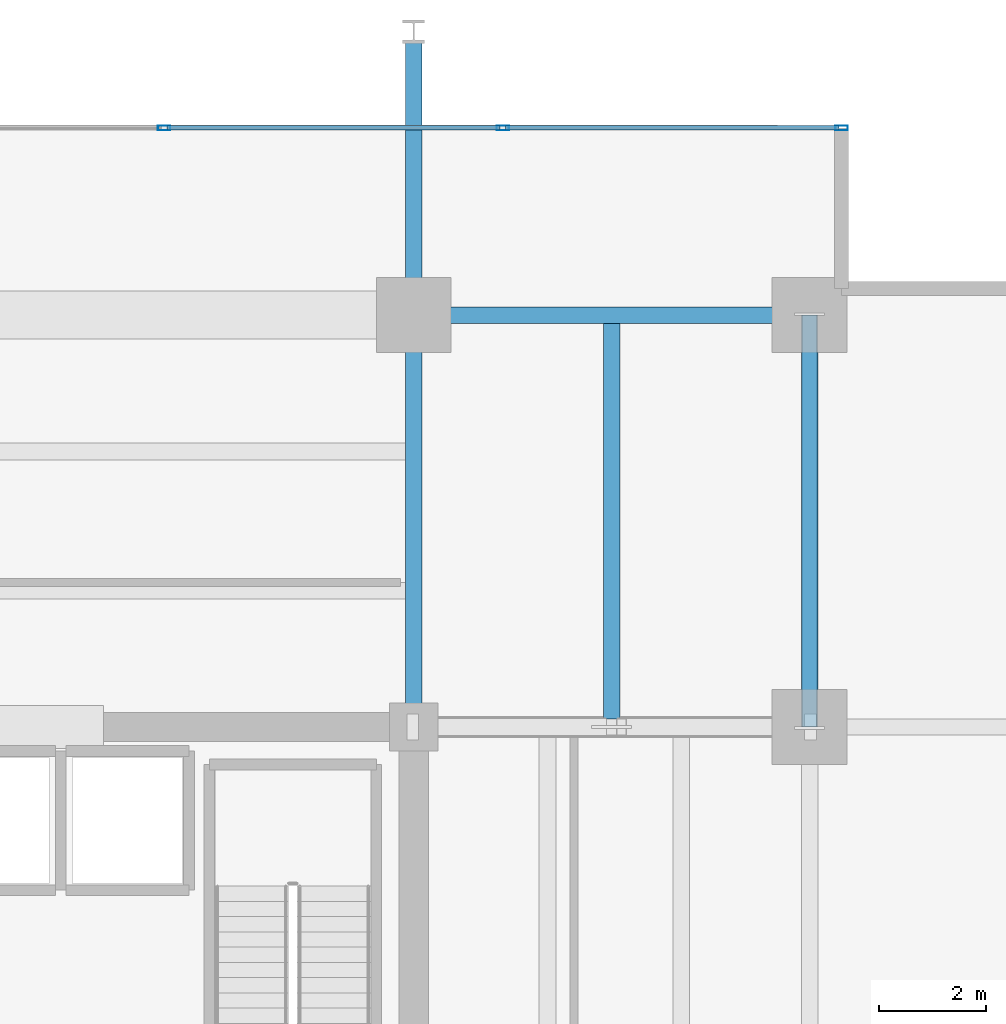
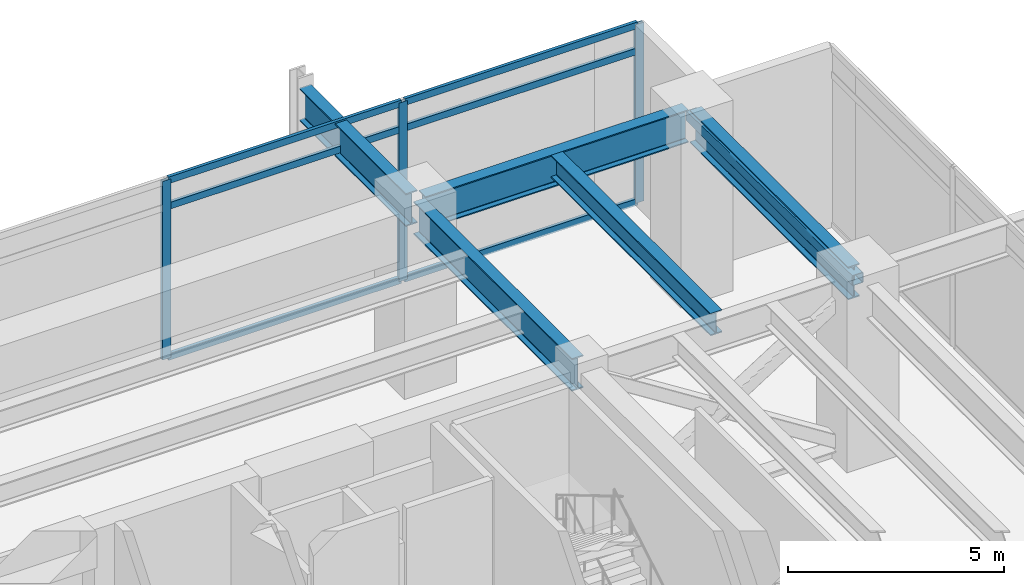
# One storey, part 15 of 21: 10 members, 5 beams, 1 element without a shape of its own.
"""IFC4 building model written with IfcOpenShell, lengths in metres."""

from ifc_helpers import new_model, si_unit, direction, frame, origin, origin_2d, place, context, subcontext, project, spatial, hollow_rectangle, i_section, extrude, material, material_profile, profile_set, type_object, element, aggregate, save


model = new_model("IFC4")

# Units and contexts
model_context = context("Model", 3, precision=1e-05, world=origin(), true_north=direction((0.0, 1.0)))
body_context = subcontext(model_context, "Body", "Model", "MODEL_VIEW")
ifc_project = project(units=[si_unit("LENGTHUNIT", "METRE"), si_unit("AREAUNIT", "SQUARE_METRE"), si_unit("VOLUMEUNIT", "CUBIC_METRE"), si_unit("PLANEANGLEUNIT", "RADIAN"), si_unit("MASSUNIT", "GRAM", prefix="KILO")], contexts=[model_context])

# Site, building, storey
site_placement = place(None, origin())
site = spatial("IfcSite", under=ifc_project, at=site_placement, CompositionType="ELEMENT")
building_placement = place(site_placement, origin())
building = spatial("IfcBuilding", under=site, at=building_placement, Name="Kovane Verandah Tower", CompositionType="ELEMENT")
storey_placement = place(building_placement, frame((0.0, 0.0, 189.39990234375)))
storey = spatial("IfcBuildingStorey", under=building, at=storey_placement, Name="L44", CompositionType="ELEMENT", Elevation=189.39990234375)

# Beams
ifc_material_1 = material(Name="Steel S460", Category="steel")
ifc_material_profile_1 = material_profile(ifc_material_1, i_section(OverallWidth=0.311279296875, OverallDepth=0.6357421875, WebThickness=0.018310546875, FlangeThickness=0.031494140625, FilletRadius=0.0166015625, at=origin_2d()), Name="UB610x305x238")
ifc_profile_set_1 = profile_set([ifc_material_profile_1], Name="Steel S460")
beam_type_1 = type_object("IfcBeamType", Name="BM-UB610x238", PredefinedType="BEAM", material=ifc_profile_set_1)
beam_1_placement = place(storey_placement, frame((54.699951171875, 36.65185546875, 4.7822265625), z_axis=(0.0, 1.0, 0.0), x_axis=(-1.0, 0.0, 0.0)))
element("IfcBeam", 1, at=beam_1_placement, inside=storey, type_object=beam_type_1, Name="L44 Secondary Composite Joist J-NE1", PredefinedType="BEAM", context=body_context, shape_type="SweptSolid", body=[
    extrude(i_section(OverallWidth=0.311279296875, OverallDepth=0.6357421875, WebThickness=0.018310546875, FlangeThickness=0.031494140625, FilletRadius=0.0166015625, at=origin_2d()), origin(), (0.0, 0.0, 1.0), 7.396240234375),
])
ifc_material_profile_2 = material_profile(ifc_material_1, i_section(OverallWidth=0.3076171875, OverallDepth=0.926513671875, WebThickness=0.01953125, FlangeThickness=0.031982421875, FilletRadius=0.01904296875, at=origin_2d()), Name="UB914x305x289")
ifc_profile_set_2 = profile_set([ifc_material_profile_2], Name="Steel S460")
beam_type_2 = type_object("IfcBeamType", Name="BM-UB914x289", PredefinedType="BEAM", material=ifc_profile_set_2)
beam_2_placement = place(storey_placement, frame((51.179931640625, 44.199951171875, 4.63671875), z_axis=(1.0, 0.0, 0.0), x_axis=(0.0, 1.0, 0.0)))
element("IfcBeam", 2, at=beam_2_placement, inside=storey, type_object=beam_type_2, Name="L44 Primary Tower Girder G-RN3", PredefinedType="BEAM", context=body_context, shape_type="SweptSolid", body=[
    extrude(i_section(OverallWidth=0.3076171875, OverallDepth=0.926513671875, WebThickness=0.01953125, FlangeThickness=0.031982421875, FilletRadius=0.01904296875, at=origin_2d()), origin(), (0.0, 0.0, 1.0), 7.0400390625),
])
for number, where, z_axis, x_axis, name in (
    (3, (58.39990234375, 36.679931640625, 4.63671875), (0.0, 1.0, 0.0), (-1.0, 0.0, 0.0), "L44 Primary Tower Girder G-RE3"),
    (4, (51.0, 36.679931640625, 4.63671875), (0.0, 1.0, 0.0), (-1.0, 0.0, 0.0), "L44 Primary Tower Girder G-N2"),
):
    element("IfcBeam", number, at=place(storey_placement, frame(where, z_axis=z_axis, x_axis=x_axis)), inside=storey, type_object=beam_type_2, Name=name, PredefinedType="BEAM", context=body_context, shape_type="SweptSolid", body=[
        extrude(i_section(OverallWidth=0.3076171875, OverallDepth=0.926513671875, WebThickness=0.01953125, FlangeThickness=0.031982421875, FilletRadius=0.01904296875, at=origin_2d()), origin(), (0.0, 0.0, 1.0), 7.340087890625),
    ])
beam_3_placement = place(storey_placement, frame((51.0, 44.3798828125, 4.63671875), z_axis=(0.0, 1.0, 0.0), x_axis=(-1.0, 0.0, 0.0)))
element("IfcBeam", 5, at=beam_3_placement, inside=storey, type_object=beam_type_2, Name="L44 Primary Tower Girder G-VN2", PredefinedType="BEAM", context=body_context, shape_type="SweptSolid", body=[
    extrude(i_section(OverallWidth=0.3076171875, OverallDepth=0.926513671875, WebThickness=0.01953125, FlangeThickness=0.031982421875, FilletRadius=0.01904296875, at=origin_2d()), origin(), (0.0, 0.0, 1.0), 4.940185546875),
])

# Curtain wall, members
ifc_material_2 = material(Name="Champagne Anodised Aluminium Frame with Low-E Clear Laminated Glass", Category="aluminium")
curtain_wall_type = type_object("IfcCurtainWallType", Name="CW-SYS-04-WAIST", PredefinedType="NOTDEFINED", material=ifc_material_2)
curtain_wall_placement = place(storey_placement, origin())
curtain_wall = element("IfcCurtainWall", 6, at=curtain_wall_placement, inside=storey, type_object=curtain_wall_type, Name="L44 N Unitised Curtain Wall", PredefinedType="NOTDEFINED")
ifc_material_3 = material(Name="Champagne Anodised Aluminium 6063-T6", Category="aluminium")
ifc_material_profile_3 = material_profile(ifc_material_3, hollow_rectangle(XDim=0.0849609375, YDim=0.22998046875, WallThickness=0.00390625, at=origin_2d()), Name="AL85x230x4")
ifc_profile_set_3 = profile_set([ifc_material_profile_3], Name="Champagne Anodised Aluminium 6063-T6")
member_type_1 = type_object("IfcMemberType", Name="CW-MUL-85x230", PredefinedType="MULLION", material=ifc_profile_set_3)
member_1_placement = place(storey_placement, frame((59.0, 47.699951171875, 0.02001953125), z_axis=(0.0, 0.0, 1.0), x_axis=(0.0, 1.0, 0.0)))
member_1 = element("IfcMember", 7, at=member_1_placement, type_object=member_type_1, Name="L44 N Unitised Curtain Wall Mullion 1", PredefinedType="MULLION", context=body_context, shape_type="SweptSolid", body=[
    extrude(hollow_rectangle(XDim=0.0849609375, YDim=0.22998046875, WallThickness=0.00390625, at=origin_2d()), origin(), (0.0, 0.0, 1.0), 5.06005859375),
])
member_2_placement = place(storey_placement, frame((52.666748046875, 47.699951171875, 0.02001953125), z_axis=(0.0, 0.0, 1.0), x_axis=(0.0, 1.0, 0.0)))
member_2 = element("IfcMember", 8, at=member_2_placement, type_object=member_type_1, Name="L44 N Unitised Curtain Wall Mullion 2", PredefinedType="MULLION", context=body_context, shape_type="SweptSolid", body=[
    extrude(hollow_rectangle(XDim=0.0849609375, YDim=0.22998046875, WallThickness=0.00390625, at=origin_2d()), origin(), (0.0, 0.0, 1.0), 5.06005859375),
])
member_3_placement = place(storey_placement, frame((46.333251953125, 47.699951171875, 0.02001953125), z_axis=(0.0, 0.0, 1.0), x_axis=(0.0, 1.0, 0.0)))
member_3 = element("IfcMember", 9, at=member_3_placement, type_object=member_type_1, Name="L44 N Unitised Curtain Wall Mullion 3", PredefinedType="MULLION", context=body_context, shape_type="SweptSolid", body=[
    extrude(hollow_rectangle(XDim=0.0849609375, YDim=0.22998046875, WallThickness=0.00390625, at=origin_2d()), origin(), (0.0, 0.0, 1.0), 5.06005859375),
])
ifc_material_profile_4 = material_profile(ifc_material_3, hollow_rectangle(XDim=0.0849609375, YDim=0.18994140625, WallThickness=0.00390625, at=origin_2d()), Name="AL85x190x4")
ifc_profile_set_4 = profile_set([ifc_material_profile_4], Name="Champagne Anodised Aluminium 6063-T6")
member_type_2 = type_object("IfcMemberType", Name="CW-TRN-85x190", PredefinedType="USERDEFINED", material=ifc_profile_set_4)
member_4_placement = place(storey_placement, frame((58.949951171875, 47.699951171875, 0.050048828125), z_axis=(-1.0, 0.0, 0.0), x_axis=(0.0, -1.0, 0.0)))
member_4 = element("IfcMember", 10, at=member_4_placement, type_object=member_type_2, Name="L44 N Unitised Curtain Wall Transom TB Bay 1", ObjectType="TRANSOM", PredefinedType="USERDEFINED", context=body_context, shape_type="SweptSolid", body=[
    extrude(hollow_rectangle(XDim=0.0849609375, YDim=0.18994140625, WallThickness=0.00390625, at=origin_2d()), origin(), (0.0, 0.0, 1.0), 6.233154296875),
])
member_5_placement = place(storey_placement, frame((58.949951171875, 47.699951171875, 4.320068359375), z_axis=(-1.0, 0.0, 0.0), x_axis=(0.0, -1.0, 0.0)))
member_5 = element("IfcMember", 11, at=member_5_placement, type_object=member_type_2, Name="L44 N Unitised Curtain Wall Transom TM Bay 1", ObjectType="TRANSOM", PredefinedType="USERDEFINED", context=body_context, shape_type="SweptSolid", body=[
    extrude(hollow_rectangle(XDim=0.0849609375, YDim=0.18994140625, WallThickness=0.00390625, at=origin_2d()), origin(), (0.0, 0.0, 1.0), 6.233154296875),
])
member_6_placement = place(storey_placement, frame((58.949951171875, 47.699951171875, 5.050048828125), z_axis=(-1.0, 0.0, 0.0), x_axis=(0.0, -1.0, 0.0)))
member_6 = element("IfcMember", 12, at=member_6_placement, type_object=member_type_2, Name="L44 N Unitised Curtain Wall Transom TT Bay 1", ObjectType="TRANSOM", PredefinedType="USERDEFINED", context=body_context, shape_type="SweptSolid", body=[
    extrude(hollow_rectangle(XDim=0.0849609375, YDim=0.18994140625, WallThickness=0.00390625, at=origin_2d()), origin(), (0.0, 0.0, 1.0), 6.233154296875),
])
member_7_placement = place(storey_placement, frame((52.61669921875, 47.699951171875, 0.050048828125), z_axis=(-1.0, 0.0, 0.0), x_axis=(0.0, -1.0, 0.0)))
member_7 = element("IfcMember", 13, at=member_7_placement, type_object=member_type_2, Name="L44 N Unitised Curtain Wall Transom TB Bay 2", ObjectType="TRANSOM", PredefinedType="USERDEFINED", context=body_context, shape_type="SweptSolid", body=[
    extrude(hollow_rectangle(XDim=0.0849609375, YDim=0.18994140625, WallThickness=0.00390625, at=origin_2d()), origin(), (0.0, 0.0, 1.0), 6.2333984375),
])
member_8_placement = place(storey_placement, frame((52.61669921875, 47.699951171875, 4.320068359375), z_axis=(-1.0, 0.0, 0.0), x_axis=(0.0, -1.0, 0.0)))
member_8 = element("IfcMember", 14, at=member_8_placement, type_object=member_type_2, Name="L44 N Unitised Curtain Wall Transom TM Bay 2", ObjectType="TRANSOM", PredefinedType="USERDEFINED", context=body_context, shape_type="SweptSolid", body=[
    extrude(hollow_rectangle(XDim=0.0849609375, YDim=0.18994140625, WallThickness=0.00390625, at=origin_2d()), origin(), (0.0, 0.0, 1.0), 6.2333984375),
])
member_9_placement = place(storey_placement, frame((52.61669921875, 47.699951171875, 5.050048828125), z_axis=(-1.0, 0.0, 0.0), x_axis=(0.0, -1.0, 0.0)))
member_9 = element("IfcMember", 15, at=member_9_placement, type_object=member_type_2, Name="L44 N Unitised Curtain Wall Transom TT Bay 2", ObjectType="TRANSOM", PredefinedType="USERDEFINED", context=body_context, shape_type="SweptSolid", body=[
    extrude(hollow_rectangle(XDim=0.0849609375, YDim=0.18994140625, WallThickness=0.00390625, at=origin_2d()), origin(), (0.0, 0.0, 1.0), 6.2333984375),
])
aggregate(curtain_wall, [member_1, member_2, member_3, member_4, member_5, member_6, member_7, member_8, member_9])

# Member
ifc_material_profile_5 = material_profile(ifc_material_1, hollow_rectangle(XDim=0.300048828125, YDim=0.300048828125, WallThickness=0.01611328125, InnerFilletRadius=0.01611328125, OuterFilletRadius=0.031982421875, at=origin_2d()), Name="SHS300x300x16")
ifc_profile_set_5 = profile_set([ifc_material_profile_5], Name="Steel S460")
member_type_3 = type_object("IfcMemberType", Name="MEM-BR-SHS300", PredefinedType="BRACE", material=ifc_profile_set_5)
member_10_placement = place(storey_placement, frame((58.39990234375, 36.5, 4.820068359375), z_axis=(0.0, 1.0, 0.0), x_axis=(-1.0, 0.0, 0.0)))
element("IfcMember", 16, at=member_10_placement, inside=storey, type_object=member_type_3, Name="L44 Belt-Truss Ring Chord BE2", PredefinedType="BRACE", context=body_context, shape_type="SweptSolid", body=[
    extrude(hollow_rectangle(XDim=0.300048828125, YDim=0.300048828125, WallThickness=0.01611328125, InnerFilletRadius=0.01611328125, OuterFilletRadius=0.031982421875, at=origin_2d()), origin(), (0.0, 0.0, 1.0), 7.699951171875),
])

save(model, "model.ifc")
